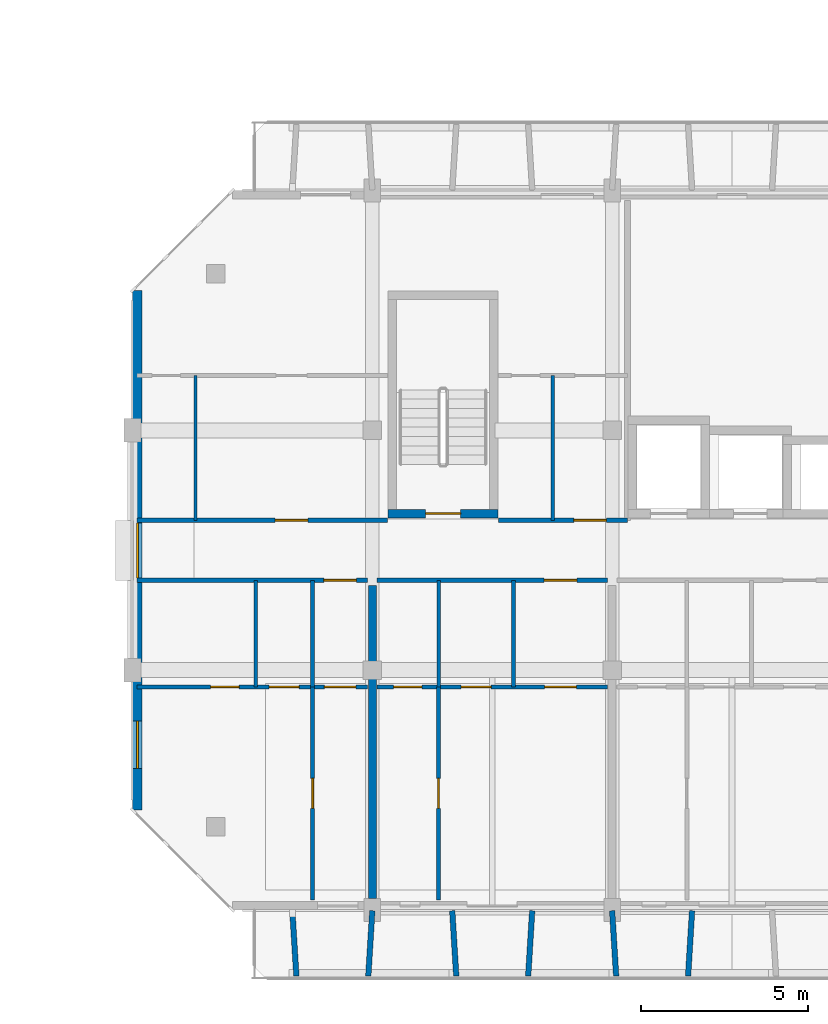
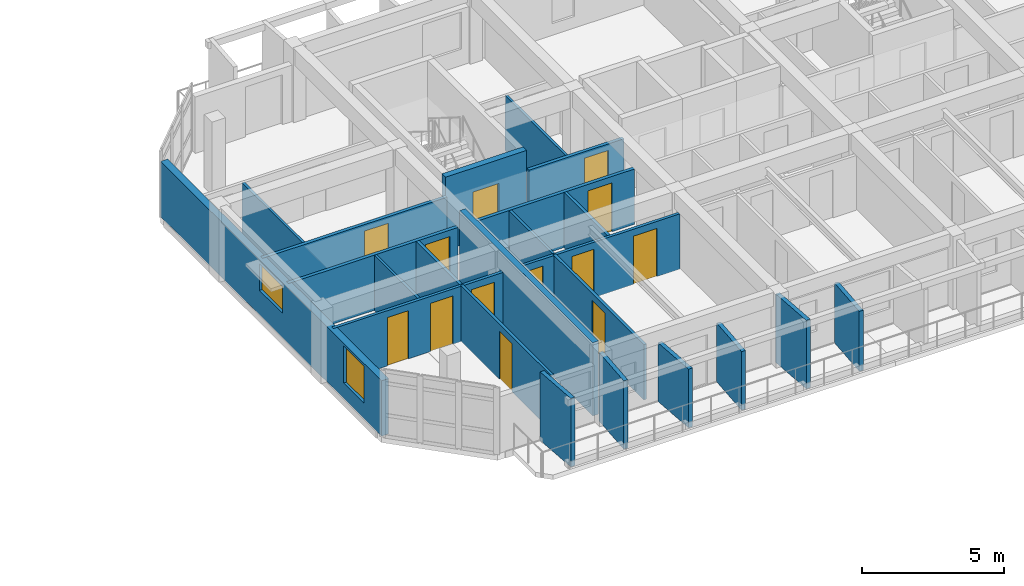
# One storey, part 21 of 43: 23 walls, 13 doors, 2 windows, 15 openings.
"""IFC4 building model written with IfcOpenShell, lengths in metres."""

from ifc_helpers import new_model, si_unit, direction, frame, frame_2d, origin, place, context, subcontext, project, spatial, rectangle, extrude, material, layer, layer_set, type_object, element, fill, save


model = new_model("IFC4")

# Units and contexts
model_context = context("Model", 3, precision=1e-05, world=origin(), true_north=direction((0.0, 1.0)))
body_context = subcontext(model_context, "Body", "Model", "MODEL_VIEW")
ifc_project = project(units=[si_unit("LENGTHUNIT", "METRE"), si_unit("AREAUNIT", "SQUARE_METRE"), si_unit("VOLUMEUNIT", "CUBIC_METRE"), si_unit("PLANEANGLEUNIT", "RADIAN"), si_unit("MASSUNIT", "GRAM", prefix="KILO")], contexts=[model_context])

# Site, building, storey
site_placement = place(None, origin())
site = spatial("IfcSite", under=ifc_project, at=site_placement, CompositionType="ELEMENT")
building_placement = place(site_placement, origin())
building = spatial("IfcBuilding", under=site, at=building_placement, Name="Ochrevale Crest", CompositionType="ELEMENT")
storey_placement = place(building_placement, frame((0.0, 0.0, 15.0)))
storey = spatial("IfcBuildingStorey", under=building, at=storey_placement, Name="L04", CompositionType="ELEMENT", Elevation=15.0)

# Wall, opening, door
ifc_material_1 = material(Name="Gypsum plasterboard", Category="gypsum")
ifc_layer_1 = layer(ifc_material_1, 0.139892578125)
ifc_layer_set_1 = layer_set([ifc_layer_1], Name="Gypsum plasterboard")
wall_type_1 = type_object("IfcWallType", Name="WL-COR-140", PredefinedType="PARTITIONING", material=ifc_layer_set_1)
wall_1_placement = place(storey_placement, frame((129.739990234375, 24.300048828125, 0.0), z_axis=(0.0, 0.0, 1.0), x_axis=(1.0, 0.0, 0.0)))
wall_1 = element("IfcWall", 1, at=wall_1_placement, inside=storey, type_object=wall_type_1, Name="Apartment C-L04-U1 corridor wall", PredefinedType="PARTITIONING", context=body_context, shape_type="SweptSolid", body=[
    extrude(rectangle(XDim=6.919921875, YDim=0.139892578125, at=frame_2d((3.4599609375, 0.0))), origin(), (0.0, 0.0, 1.0), 2.3798828125),
])
opening_1_placement = place(wall_1_placement, frame((5.60498046875, 0.0, 0.0)))
opening_1 = element("IfcOpeningElement", 2, at=opening_1_placement, cuts=wall_1, Name="Opening FD01", PredefinedType="OPENING", context=body_context, shape_type="SweptSolid", body=[
    extrude(rectangle(XDim=0.97998046875, YDim=2.10009765625, at=frame_2d((0.489990234375, 1.050048828125))), frame((0.0, 0.080078125, 0.0), z_axis=(0.0, -1.0, 0.0), x_axis=(1.0, 0.0, 0.0)), (0.0, 0.0, 1.0), 0.159912109375),
])
ifc_material_2 = material(Name="Solid-core FSC hardwood", Category="wood")
door_type_1 = type_object("IfcDoorType", Name="DR-APT-950", OperationType="NOTDEFINED", PredefinedType="DOOR", material=ifc_material_2)
door_1_placement = place(opening_1_placement, origin())
door_1 = element("IfcDoor", 3, at=door_1_placement, inside=storey, type_object=door_type_1, Name="Apartment C-L04-U1 entrance door", OperationType="SINGLE_SWING_LEFT", OverallHeight=2.10009765625, OverallWidth=0.97998046875, PredefinedType="DOOR", context=body_context, shape_type="SweptSolid", body=[
    extrude(rectangle(XDim=0.97998046875, YDim=2.10009765625, at=frame_2d((0.489990234375, 1.050048828125))), frame((0.0, 0.02490234375, 0.0), z_axis=(0.0, -1.0, 0.0), x_axis=(1.0, 0.0, 0.0)), (0.0, 0.0, 1.0), 0.050048828125),
])
fill(opening_1, door_1)

wall_2_placement = place(storey_placement, frame((136.93994140625, 24.300048828125, 0.0), z_axis=(0.0, 0.0, 1.0), x_axis=(1.0, 0.0, 0.0)))
wall_2 = element("IfcWall", 4, at=wall_2_placement, inside=storey, type_object=wall_type_1, Name="Apartment C-L04-U2 corridor wall", PredefinedType="PARTITIONING", context=body_context, shape_type="SweptSolid", body=[
    extrude(rectangle(XDim=6.920166015625, YDim=0.139892578125, at=frame_2d((3.4599609375, 0.0))), origin(), (0.0, 0.0, 1.0), 2.3798828125),
])
opening_2_placement = place(wall_2_placement, frame((6.0, 0.0, 0.0), z_axis=(0.0, 0.0, 1.0), x_axis=(-1.0, 0.0, 0.0)))
opening_2 = element("IfcOpeningElement", 5, at=opening_2_placement, cuts=wall_2, Name="Opening FD01", PredefinedType="OPENING", context=body_context, shape_type="SweptSolid", body=[
    extrude(rectangle(XDim=0.97998046875, YDim=2.10009765625, at=frame_2d((0.489990234375, 1.050048828125))), frame((0.0, 0.080078125, 0.0), z_axis=(0.0, -1.0, 0.0), x_axis=(1.0, 0.0, 0.0)), (0.0, 0.0, 1.0), 0.159912109375),
])
door_2_placement = place(opening_2_placement, origin())
door_2 = element("IfcDoor", 6, at=door_2_placement, inside=storey, type_object=door_type_1, Name="Apartment C-L04-U2 entrance door", OperationType="SINGLE_SWING_RIGHT", OverallHeight=2.10009765625, OverallWidth=0.97998046875, PredefinedType="DOOR", context=body_context, shape_type="SweptSolid", body=[
    extrude(rectangle(XDim=0.97998046875, YDim=2.10009765625, at=frame_2d((0.489990234375, 1.050048828125))), frame((0.0, 0.02490234375, 0.0), z_axis=(0.0, -1.0, 0.0), x_axis=(1.0, 0.0, 0.0)), (0.0, 0.0, 1.0), 0.050048828125),
])
fill(opening_2, door_2)

wall_3_placement = place(storey_placement, frame((129.739990234375, 26.10009765625, 0.0), z_axis=(0.0, 0.0, 1.0), x_axis=(1.0, 0.0, 0.0)))
wall_3 = element("IfcWall", 7, at=wall_3_placement, inside=storey, type_object=wall_type_1, Name="Suite C-L04-CW corridor wall", PredefinedType="PARTITIONING", context=body_context, shape_type="SweptSolid", body=[
    extrude(rectangle(XDim=7.52001953125, YDim=0.139892578125, at=frame_2d((3.760009765625, 0.0))), origin(), (0.0, 0.0, 1.0), 2.3798828125),
])
opening_3_placement = place(wall_3_placement, frame((4.14501953125, 0.0, 0.0)))
opening_3 = element("IfcOpeningElement", 8, at=opening_3_placement, cuts=wall_3, Name="Opening FD01", PredefinedType="OPENING", context=body_context, shape_type="SweptSolid", body=[
    extrude(rectangle(XDim=0.97998046875, YDim=2.10009765625, at=frame_2d((0.489990234375, 1.050048828125))), frame((0.0, 0.080078125, 0.0), z_axis=(0.0, -1.0, 0.0), x_axis=(1.0, 0.0, 0.0)), (0.0, 0.0, 1.0), 0.159912109375),
])
door_3_placement = place(opening_3_placement, origin())
door_3 = element("IfcDoor", 9, at=door_3_placement, inside=storey, type_object=door_type_1, Name="Suite C-L04-CW entrance door", OperationType="SINGLE_SWING_LEFT", OverallHeight=2.10009765625, OverallWidth=0.97998046875, PredefinedType="DOOR", context=body_context, shape_type="SweptSolid", body=[
    extrude(rectangle(XDim=0.97998046875, YDim=2.10009765625, at=frame_2d((0.489990234375, 1.050048828125))), frame((0.0, 0.02490234375, 0.0), z_axis=(0.0, -1.0, 0.0), x_axis=(1.0, 0.0, 0.0)), (0.0, 0.0, 1.0), 0.050048828125),
])
fill(opening_3, door_3)

wall_4_placement = place(storey_placement, frame((140.590087890625, 26.10009765625, 0.0), z_axis=(0.0, 0.0, 1.0), x_axis=(1.0, 0.0, 0.0)))
wall_4 = element("IfcWall", 10, at=wall_4_placement, inside=storey, type_object=wall_type_1, Name="Suite C-L04-MW corridor wall", PredefinedType="PARTITIONING", context=body_context, shape_type="SweptSolid", body=[
    extrude(rectangle(XDim=3.869873046875, YDim=0.139892578125, at=frame_2d((1.93505859375, 0.0))), origin(), (0.0, 0.0, 1.0), 2.3798828125),
])
opening_4_placement = place(wall_4_placement, frame((3.23779296875, 0.0, 0.0), z_axis=(0.0, 0.0, 1.0), x_axis=(-1.0, 0.0, 0.0)))
opening_4 = element("IfcOpeningElement", 11, at=opening_4_placement, cuts=wall_4, Name="Opening FD01", PredefinedType="OPENING", context=body_context, shape_type="SweptSolid", body=[
    extrude(rectangle(XDim=0.97998046875, YDim=2.10009765625, at=frame_2d((0.489990234375, 1.050048828125))), frame((0.0, 0.080078125, 0.0), z_axis=(0.0, -1.0, 0.0), x_axis=(1.0, 0.0, 0.0)), (0.0, 0.0, 1.0), 0.159912109375),
])
door_4_placement = place(opening_4_placement, origin())
door_4 = element("IfcDoor", 12, at=door_4_placement, inside=storey, type_object=door_type_1, Name="Suite C-L04-MW entrance door", OperationType="SINGLE_SWING_RIGHT", OverallHeight=2.10009765625, OverallWidth=0.97998046875, PredefinedType="DOOR", context=body_context, shape_type="SweptSolid", body=[
    extrude(rectangle(XDim=0.97998046875, YDim=2.10009765625, at=frame_2d((0.489990234375, 1.050048828125))), frame((0.0, 0.02490234375, 0.0), z_axis=(0.0, -1.0, 0.0), x_axis=(1.0, 0.0, 0.0)), (0.0, 0.0, 1.0), 0.050048828125),
])
fill(opening_4, door_4)

ifc_material_3 = material(Name="Precast concrete C50/60", Category="concrete")
ifc_layer_2 = layer(ifc_material_3, 0.2548828125)
ifc_layer_set_2 = layer_set([ifc_layer_2], Name="Precast concrete C50/60")
wall_type_2 = type_object("IfcWallType", Name="WL-CORE-255", PredefinedType="SHEAR", material=ifc_layer_set_2)
wall_5_placement = place(storey_placement, frame((137.2724609375, 26.300048828125, 0.0), z_axis=(0.0, 0.0, 1.0), x_axis=(1.0, 0.0, 0.0)))
wall_5 = element("IfcWall", 13, at=wall_5_placement, inside=storey, type_object=wall_type_2, Name="Block C L04 Stair 1 precast core shear wall S", PredefinedType="SHEAR", context=body_context, shape_type="SweptSolid", body=[
    extrude(rectangle(XDim=3.304931640625, YDim=0.2548828125, at=frame_2d((1.65234375, 0.0))), origin(), (0.0, 0.0, 1.0), 3.14990234375),
])
opening_5_placement = place(wall_5_placement, frame((2.177490234375, 0.0, 0.0), z_axis=(0.0, 0.0, 1.0), x_axis=(-1.0, 0.0, 0.0)))
opening_5 = element("IfcOpeningElement", 14, at=opening_5_placement, cuts=wall_5, Name="Opening FD03", PredefinedType="OPENING", context=body_context, shape_type="SweptSolid", body=[
    extrude(rectangle(XDim=1.050048828125, YDim=2.1201171875, at=frame_2d((0.52490234375, 1.06005859375))), frame((0.0, 0.137451171875, 0.0), z_axis=(0.0, -1.0, 0.0), x_axis=(1.0, 0.0, 0.0)), (0.0, 0.0, 1.0), 0.27490234375),
])
door_type_2 = type_object("IfcDoorType", Name="DR-ST-1050", OperationType="NOTDEFINED", PredefinedType="DOOR", material=ifc_material_2)
door_5_placement = place(opening_5_placement, origin())
door_5 = element("IfcDoor", 15, at=door_5_placement, inside=storey, type_object=door_type_2, Name="Block C L04 fire stair 1 door", OperationType="SINGLE_SWING_RIGHT", OverallHeight=2.1201171875, OverallWidth=1.050048828125, PredefinedType="DOOR", context=body_context, shape_type="SweptSolid", body=[
    extrude(rectangle(XDim=1.050048828125, YDim=2.1201171875, at=frame_2d((0.52490234375, 1.06005859375))), frame((0.0, 0.02490234375, 0.0), z_axis=(0.0, -1.0, 0.0), x_axis=(1.0, 0.0, 0.0)), (0.0, 0.0, 1.0), 0.050048828125),
])
fill(opening_5, door_5)

# Wall, openings, windows
ifc_material_4 = material(Name="Clay face brickwork", Category="masonry")
ifc_layer_3 = layer(ifc_material_4, 0.2900390625)
ifc_layer_set_3 = layer_set([ifc_layer_3], Name="Clay face brickwork")
wall_type_3 = type_object("IfcWallType", Name="WL-EXT-BRICK-290", PredefinedType="SOLIDWALL", material=ifc_layer_set_3)
wall_6_placement = place(storey_placement, frame((129.7451171875, 33.0, 0.0), z_axis=(0.0, 0.0, 1.0), x_axis=(0.0, -1.0, 0.0)))
wall_6 = element("IfcWall", 16, at=wall_6_placement, inside=storey, type_object=wall_type_3, Name="Block C L04 external facade wall E7", PredefinedType="SOLIDWALL", context=body_context, shape_type="SweptSolid", body=[
    extrude(rectangle(XDim=15.60009765625, YDim=0.2900390625, at=frame_2d((7.800048828125, 0.0))), origin(), (0.0, 0.0, 1.0), 2.3798828125),
])
opening_6_placement = place(wall_6_placement, frame((6.97509765625, 0.0, 1.050048828125)))
opening_6 = element("IfcOpeningElement", 17, at=opening_6_placement, cuts=wall_6, Name="Opening W19", PredefinedType="OPENING", context=body_context, shape_type="SweptSolid", body=[
    extrude(rectangle(XDim=1.64990234375, YDim=1.14990234375, at=frame_2d((0.824951171875, 0.574951171875))), frame((0.0, 0.155029296875, 0.0), z_axis=(0.0, -1.0, 0.0), x_axis=(1.0, 0.0, 0.0)), (0.0, 0.0, 1.0), 0.31005859375),
])
opening_7_placement = place(wall_6_placement, frame((12.925048828125, 0.0, 0.669921875)))
opening_7 = element("IfcOpeningElement", 18, at=opening_7_placement, cuts=wall_6, Name="Opening W31", PredefinedType="OPENING", context=body_context, shape_type="SweptSolid", body=[
    extrude(rectangle(XDim=1.419921875, YDim=1.60009765625, at=frame_2d((0.7099609375, 0.800048828125))), frame((0.0, 0.155029296875, 0.0), z_axis=(0.0, -1.0, 0.0), x_axis=(1.0, 0.0, 0.0)), (0.0, 0.0, 1.0), 0.31005859375),
])
ifc_material_5 = material(Name="Anodised aluminium 6063-T5 and low-E double glazing", Category="aluminium")
window_type_1 = type_object("IfcWindowType", Name="WIN-W19", PartitioningType="SINGLE_PANEL", PredefinedType="WINDOW", material=ifc_material_5)
window_1_placement = place(opening_6_placement, origin())
window_1 = element("IfcWindow", 19, at=window_1_placement, inside=storey, type_object=window_type_1, Name="Block C L04 corridor end daylight window W", OverallHeight=1.14990234375, OverallWidth=1.64990234375, PartitioningType="SINGLE_PANEL", PredefinedType="WINDOW", context=body_context, shape_type="SweptSolid", body=[
    extrude(rectangle(XDim=1.64990234375, YDim=1.14990234375, at=frame_2d((0.824951171875, 0.574951171875))), frame((0.0, 0.030029296875, 0.0), z_axis=(0.0, -1.0, 0.0), x_axis=(1.0, 0.0, 0.0)), (0.0, 0.0, 1.0), 0.06005859375),
])
fill(opening_6, window_1)
window_type_2 = type_object("IfcWindowType", Name="WIN-W31", PartitioningType="SINGLE_PANEL", PredefinedType="WINDOW", material=ifc_material_5)
window_2_placement = place(opening_7_placement, origin())
window_2 = element("IfcWindow", 20, at=window_2_placement, inside=storey, type_object=window_type_2, Name="Block C L04 side suite window W", OverallHeight=1.60009765625, OverallWidth=1.419921875, PartitioningType="SINGLE_PANEL", PredefinedType="WINDOW", context=body_context, shape_type="SweptSolid", body=[
    extrude(rectangle(XDim=1.419921875, YDim=1.60009765625, at=frame_2d((0.7099609375, 0.800048828125))), frame((0.0, 0.030029296875, 0.0), z_axis=(0.0, -1.0, 0.0), x_axis=(1.0, 0.0, 0.0)), (0.0, 0.0, 1.0), 0.06005859375),
])
fill(opening_7, window_2)

# Walls
ifc_material_6 = material(Name="Precast concrete C40/50", Category="concrete")
ifc_layer_4 = layer(ifc_material_6, 0.1650390625)
ifc_layer_set_4 = layer_set([ifc_layer_4], Name="Precast concrete C40/50")
wall_type_4 = type_object("IfcWallType", Name="WL-HC-CHEEK-165", PredefinedType="ELEMENTEDWALL", material=ifc_layer_set_4)
for number, where, z_axis, x_axis, name in (
    (21, (134.39990234375, 14.3798828125, 0.0), (0.0, 0.0, 1.0), (0.061170732449, -0.998127317276, 0.0), "Block C L04 S precast honeycomb cheek 1"),
    (22, (136.800048828125, 14.3798828125, 0.0), (0.0, 0.0, 1.0), (-0.061170732449, -0.998127317276, 0.0), "Block C L04 S precast honeycomb cheek 2"),
):
    element("IfcWall", number, at=place(storey_placement, frame(where, z_axis=z_axis, x_axis=x_axis)), inside=storey, type_object=wall_type_4, Name=name, PredefinedType="ELEMENTEDWALL", context=body_context, shape_type="SweptSolid", body=[
        extrude(rectangle(XDim=1.963623046875, YDim=0.1650390625, at=frame_2d((0.98193359375, 0.0))), origin(), (0.0, 0.0, 1.0), 2.949951171875),
    ])
for number, where, z_axis, x_axis, name in (
    (23, (139.199951171875, 14.3798828125, 0.0), (0.0, 0.0, 1.0), (0.061170732449, -0.998127317276, 0.0), "Block C L04 S precast honeycomb cheek 3"),
    (24, (141.60009765625, 14.3798828125, 0.0), (0.0, 0.0, 1.0), (-0.061170732449, -0.998127317276, 0.0), "Block C L04 S precast honeycomb cheek 4"),
):
    element("IfcWall", number, at=place(storey_placement, frame(where, z_axis=z_axis, x_axis=x_axis)), inside=storey, type_object=wall_type_4, Name=name, PredefinedType="ELEMENTEDWALL", context=body_context, shape_type="SweptSolid", body=[
        extrude(rectangle(XDim=1.963623046875, YDim=0.1650390625, at=frame_2d((0.98193359375, 0.0))), origin(), (0.0, 0.0, 1.0), 2.530029296875),
    ])
wall_7_placement = place(storey_placement, frame((144.0, 14.3798828125, 0.0), z_axis=(0.0, 0.0, 1.0), x_axis=(0.061170732449, -0.998127317276, 0.0)))
element("IfcWall", 25, at=wall_7_placement, inside=storey, type_object=wall_type_4, Name="Block C L04 S precast honeycomb cheek 5", PredefinedType="ELEMENTEDWALL", context=body_context, shape_type="SweptSolid", body=[
    extrude(rectangle(XDim=1.963623046875, YDim=0.1650390625, at=frame_2d((0.98193359375, 0.0))), origin(), (0.0, 0.0, 1.0), 2.949951171875),
])
wall_8_placement = place(storey_placement, frame((146.39990234375, 14.3798828125, 0.0), z_axis=(0.0, 0.0, 1.0), x_axis=(-0.061046865508, -0.998134900808, 0.0)))
element("IfcWall", 26, at=wall_8_placement, inside=storey, type_object=wall_type_4, Name="Block C L04 S precast honeycomb cheek 6", PredefinedType="ELEMENTEDWALL", context=body_context, shape_type="SweptSolid", body=[
    extrude(rectangle(XDim=1.963623046875, YDim=0.1650390625, at=frame_2d((0.98193359375, 0.0))), origin(), (0.0, 0.0, 1.0), 2.580078125),
])
ifc_layer_5 = layer(ifc_material_1, 0.1201171875)
ifc_layer_set_5 = layer_set([ifc_layer_5], Name="Gypsum plasterboard")
wall_type_5 = type_object("IfcWallType", Name="WL-PART-120", PredefinedType="PARTITIONING", material=ifc_layer_set_5)
wall_9_placement = place(storey_placement, frame((135.010009765625, 21.10009765625, 0.0), z_axis=(0.0, 0.0, 1.0), x_axis=(0.0, 1.0, 0.0)))
element("IfcWall", 27, at=wall_9_placement, inside=storey, type_object=wall_type_5, Name="Apartment C-L04-U1 kitchen-foyer wall", PredefinedType="PARTITIONING", context=body_context, shape_type="SweptSolid", body=[
    extrude(rectangle(XDim=3.199951171875, YDim=0.1201171875, at=frame_2d((1.60009765625, 0.0))), origin(), (0.0, 0.0, 1.0), 2.375),
])

# Wall, openings, doors
wall_10_placement = place(storey_placement, frame((129.739990234375, 21.10009765625, 0.0), z_axis=(0.0, 0.0, 1.0), x_axis=(1.0, 0.0, 0.0)))
wall_10 = element("IfcWall", 28, at=wall_10_placement, inside=storey, type_object=wall_type_5, Name="Apartment C-L04-U1 central partition", PredefinedType="PARTITIONING", context=body_context, shape_type="SweptSolid", body=[
    extrude(rectangle(XDim=6.919921875, YDim=0.1201171875, at=frame_2d((3.4599609375, 0.0))), origin(), (0.0, 0.0, 1.0), 2.3798828125),
])
opening_8_placement = place(wall_10_placement, frame((3.06005859375, 0.0, 0.0), z_axis=(0.0, 0.0, 1.0), x_axis=(-1.0, 0.0, 0.0)))
opening_8 = element("IfcOpeningElement", 29, at=opening_8_placement, cuts=wall_10, Name="Opening ID01", PredefinedType="OPENING", context=body_context, shape_type="SweptSolid", body=[
    extrude(rectangle(XDim=0.85009765625, YDim=2.080078125, at=frame_2d((0.425048828125, 1.0400390625))), frame((0.0, 0.070068359375, 0.0), z_axis=(0.0, -1.0, 0.0), x_axis=(1.0, 0.0, 0.0)), (0.0, 0.0, 1.0), 0.14013671875),
])
opening_9_placement = place(wall_10_placement, frame((3.965087890625, 0.0, 0.0)))
opening_9 = element("IfcOpeningElement", 30, at=opening_9_placement, cuts=wall_10, Name="Opening ID02", PredefinedType="OPENING", context=body_context, shape_type="SweptSolid", body=[
    extrude(rectangle(XDim=0.89990234375, YDim=2.080078125, at=frame_2d((0.449951171875, 1.0400390625))), frame((0.0, 0.070068359375, 0.0), z_axis=(0.0, -1.0, 0.0), x_axis=(1.0, 0.0, 0.0)), (0.0, 0.0, 1.0), 0.14013671875),
])
opening_10_placement = place(wall_10_placement, frame((6.570068359375, 0.0, 0.0), z_axis=(0.0, 0.0, 1.0), x_axis=(-1.0, 0.0, 0.0)))
opening_10 = element("IfcOpeningElement", 31, at=opening_10_placement, cuts=wall_10, Name="Opening ID06", PredefinedType="OPENING", context=body_context, shape_type="SweptSolid", body=[
    extrude(rectangle(XDim=0.949951171875, YDim=2.080078125, at=frame_2d((0.47509765625, 1.0400390625))), frame((0.0, 0.070068359375, 0.0), z_axis=(0.0, -1.0, 0.0), x_axis=(1.0, 0.0, 0.0)), (0.0, 0.0, 1.0), 0.14013671875),
])
door_type_3 = type_object("IfcDoorType", Name="DR-INT-900", OperationType="NOTDEFINED", PredefinedType="DOOR", material=ifc_material_2)
door_6_placement = place(opening_9_placement, origin())
door_6 = element("IfcDoor", 32, at=door_6_placement, inside=storey, type_object=door_type_3, Name="Apartment C-L04-U1 Kitchen door", OperationType="SINGLE_SWING_LEFT", OverallHeight=2.080078125, OverallWidth=0.89990234375, PredefinedType="DOOR", context=body_context, shape_type="SweptSolid", body=[
    extrude(rectangle(XDim=0.89990234375, YDim=2.080078125, at=frame_2d((0.449951171875, 1.0400390625))), frame((0.0, 0.02490234375, 0.0), z_axis=(0.0, -1.0, 0.0), x_axis=(1.0, 0.0, 0.0)), (0.0, 0.0, 1.0), 0.050048828125),
])
fill(opening_9, door_6)
door_type_4 = type_object("IfcDoorType", Name="DR-INT-950", OperationType="NOTDEFINED", PredefinedType="DOOR", material=ifc_material_2)
door_7_placement = place(opening_10_placement, origin())
door_7 = element("IfcDoor", 33, at=door_7_placement, inside=storey, type_object=door_type_4, Name="Apartment C-L04-U1 Living Foyer door", OperationType="SINGLE_SWING_RIGHT", OverallHeight=2.080078125, OverallWidth=0.949951171875, PredefinedType="DOOR", context=body_context, shape_type="SweptSolid", body=[
    extrude(rectangle(XDim=0.949951171875, YDim=2.080078125, at=frame_2d((0.47509765625, 1.0400390625))), frame((0.0, 0.02490234375, 0.0), z_axis=(0.0, -1.0, 0.0), x_axis=(1.0, 0.0, 0.0)), (0.0, 0.0, 1.0), 0.050048828125),
])
fill(opening_10, door_7)
door_type_5 = type_object("IfcDoorType", Name="DR-WC-850", OperationType="NOTDEFINED", PredefinedType="DOOR", material=ifc_material_2)
door_8_placement = place(opening_8_placement, origin())
door_8 = element("IfcDoor", 34, at=door_8_placement, inside=storey, type_object=door_type_5, Name="Apartment C-L04-U1 Bathroom door", OperationType="SINGLE_SWING_RIGHT", OverallHeight=2.080078125, OverallWidth=0.85009765625, PredefinedType="DOOR", context=body_context, shape_type="SweptSolid", body=[
    extrude(rectangle(XDim=0.85009765625, YDim=2.080078125, at=frame_2d((0.425048828125, 1.0400390625))), frame((0.0, 0.02490234375, 0.0), z_axis=(0.0, -1.0, 0.0), x_axis=(1.0, 0.0, 0.0)), (0.0, 0.0, 1.0), 0.050048828125),
])
fill(opening_8, door_8)

# Wall, opening, door
wall_11_placement = place(storey_placement, frame((135.010009765625, 14.699951171875, 0.0), z_axis=(0.0, 0.0, 1.0), x_axis=(0.0, 1.0, 0.0)))
wall_11 = element("IfcWall", 35, at=wall_11_placement, inside=storey, type_object=wall_type_5, Name="Apartment C-L04-U1 bedroom partition", PredefinedType="PARTITIONING", context=body_context, shape_type="SweptSolid", body=[
    extrude(rectangle(XDim=6.400146484375, YDim=0.1201171875, at=frame_2d((3.2001953125, 0.0))), origin(), (0.0, 0.0, 1.0), 2.3798828125),
])
opening_11_placement = place(wall_11_placement, frame((2.75, 0.0, 0.0)))
opening_11 = element("IfcOpeningElement", 36, at=opening_11_placement, cuts=wall_11, Name="Opening ID02", PredefinedType="OPENING", context=body_context, shape_type="SweptSolid", body=[
    extrude(rectangle(XDim=0.89990234375, YDim=2.080078125, at=frame_2d((0.449951171875, 1.0400390625))), frame((0.0, 0.070068359375, 0.0), z_axis=(0.0, -1.0, 0.0), x_axis=(1.0, 0.0, 0.0)), (0.0, 0.0, 1.0), 0.14013671875),
])
door_9_placement = place(opening_11_placement, origin())
door_9 = element("IfcDoor", 37, at=door_9_placement, inside=storey, type_object=door_type_3, Name="Apartment C-L04-U1 Double Bedroom door", OperationType="SINGLE_SWING_LEFT", OverallHeight=2.080078125, OverallWidth=0.89990234375, PredefinedType="DOOR", context=body_context, shape_type="SweptSolid", body=[
    extrude(rectangle(XDim=0.89990234375, YDim=2.080078125, at=frame_2d((0.449951171875, 1.0400390625))), frame((0.0, 0.02490234375, 0.0), z_axis=(0.0, -1.0, 0.0), x_axis=(1.0, 0.0, 0.0)), (0.0, 0.0, 1.0), 0.050048828125),
])
fill(opening_11, door_9)

# Wall
wall_12_placement = place(storey_placement, frame((141.0400390625, 21.10009765625, 0.0), z_axis=(0.0, 0.0, 1.0), x_axis=(0.0, 1.0, 0.0)))
element("IfcWall", 38, at=wall_12_placement, inside=storey, type_object=wall_type_5, Name="Apartment C-L04-U2 kitchen-foyer wall", PredefinedType="PARTITIONING", context=body_context, shape_type="SweptSolid", body=[
    extrude(rectangle(XDim=3.199951171875, YDim=0.1201171875, at=frame_2d((1.60009765625, 0.0))), origin(), (0.0, 0.0, 1.0), 2.375),
])

# Wall, openings, doors
wall_13_placement = place(storey_placement, frame((136.93994140625, 21.10009765625, 0.0), z_axis=(0.0, 0.0, 1.0), x_axis=(1.0, 0.0, 0.0)))
wall_13 = element("IfcWall", 39, at=wall_13_placement, inside=storey, type_object=wall_type_5, Name="Apartment C-L04-U2 central partition", PredefinedType="PARTITIONING", context=body_context, shape_type="SweptSolid", body=[
    extrude(rectangle(XDim=6.920166015625, YDim=0.1201171875, at=frame_2d((3.4599609375, 0.0))), origin(), (0.0, 0.0, 1.0), 2.3798828125),
])
opening_12_placement = place(wall_13_placement, frame((0.5, 0.0, 0.0)))
opening_12 = element("IfcOpeningElement", 40, at=opening_12_placement, cuts=wall_13, Name="Opening ID01", PredefinedType="OPENING", context=body_context, shape_type="SweptSolid", body=[
    extrude(rectangle(XDim=0.85009765625, YDim=2.080078125, at=frame_2d((0.425048828125, 1.0400390625))), frame((0.0, 0.070068359375, 0.0), z_axis=(0.0, -1.0, 0.0), x_axis=(1.0, 0.0, 0.0)), (0.0, 0.0, 1.0), 0.14013671875),
])
opening_13_placement = place(wall_13_placement, frame((3.4248046875, 0.0, 0.0), z_axis=(0.0, 0.0, 1.0), x_axis=(-1.0, 0.0, 0.0)))
opening_13 = element("IfcOpeningElement", 41, at=opening_13_placement, cuts=wall_13, Name="Opening ID02", PredefinedType="OPENING", context=body_context, shape_type="SweptSolid", body=[
    extrude(rectangle(XDim=0.89990234375, YDim=2.080078125, at=frame_2d((0.449951171875, 1.0400390625))), frame((0.0, 0.070068359375, 0.0), z_axis=(0.0, -1.0, 0.0), x_axis=(1.0, 0.0, 0.0)), (0.0, 0.0, 1.0), 0.14013671875),
])
opening_14_placement = place(wall_13_placement, frame((5.034912109375, 0.0, 0.0)))
opening_14 = element("IfcOpeningElement", 42, at=opening_14_placement, cuts=wall_13, Name="Opening ID06", PredefinedType="OPENING", context=body_context, shape_type="SweptSolid", body=[
    extrude(rectangle(XDim=0.949951171875, YDim=2.080078125, at=frame_2d((0.47509765625, 1.0400390625))), frame((0.0, 0.070068359375, 0.0), z_axis=(0.0, -1.0, 0.0), x_axis=(1.0, 0.0, 0.0)), (0.0, 0.0, 1.0), 0.14013671875),
])
door_10_placement = place(opening_13_placement, origin())
door_10 = element("IfcDoor", 43, at=door_10_placement, inside=storey, type_object=door_type_3, Name="Apartment C-L04-U2 Kitchen door", OperationType="SINGLE_SWING_RIGHT", OverallHeight=2.080078125, OverallWidth=0.89990234375, PredefinedType="DOOR", context=body_context, shape_type="SweptSolid", body=[
    extrude(rectangle(XDim=0.89990234375, YDim=2.080078125, at=frame_2d((0.449951171875, 1.0400390625))), frame((0.0, 0.02490234375, 0.0), z_axis=(0.0, -1.0, 0.0), x_axis=(1.0, 0.0, 0.0)), (0.0, 0.0, 1.0), 0.050048828125),
])
fill(opening_13, door_10)
door_11_placement = place(opening_14_placement, origin())
door_11 = element("IfcDoor", 44, at=door_11_placement, inside=storey, type_object=door_type_4, Name="Apartment C-L04-U2 Living Foyer door", OperationType="SINGLE_SWING_LEFT", OverallHeight=2.080078125, OverallWidth=0.949951171875, PredefinedType="DOOR", context=body_context, shape_type="SweptSolid", body=[
    extrude(rectangle(XDim=0.949951171875, YDim=2.080078125, at=frame_2d((0.47509765625, 1.0400390625))), frame((0.0, 0.02490234375, 0.0), z_axis=(0.0, -1.0, 0.0), x_axis=(1.0, 0.0, 0.0)), (0.0, 0.0, 1.0), 0.050048828125),
])
fill(opening_14, door_11)
door_12_placement = place(opening_12_placement, origin())
door_12 = element("IfcDoor", 45, at=door_12_placement, inside=storey, type_object=door_type_5, Name="Apartment C-L04-U2 Bathroom door", OperationType="SINGLE_SWING_LEFT", OverallHeight=2.080078125, OverallWidth=0.85009765625, PredefinedType="DOOR", context=body_context, shape_type="SweptSolid", body=[
    extrude(rectangle(XDim=0.85009765625, YDim=2.080078125, at=frame_2d((0.425048828125, 1.0400390625))), frame((0.0, 0.02490234375, 0.0), z_axis=(0.0, -1.0, 0.0), x_axis=(1.0, 0.0, 0.0)), (0.0, 0.0, 1.0), 0.050048828125),
])
fill(opening_12, door_12)

# Wall, opening, door
wall_14_placement = place(storey_placement, frame((138.7900390625, 14.699951171875, 0.0), z_axis=(0.0, 0.0, 1.0), x_axis=(0.0, 1.0, 0.0)))
wall_14 = element("IfcWall", 46, at=wall_14_placement, inside=storey, type_object=wall_type_5, Name="Apartment C-L04-U2 bedroom partition", PredefinedType="PARTITIONING", context=body_context, shape_type="SweptSolid", body=[
    extrude(rectangle(XDim=6.400146484375, YDim=0.1201171875, at=frame_2d((3.2001953125, 0.0))), origin(), (0.0, 0.0, 1.0), 2.3798828125),
])
opening_15_placement = place(wall_14_placement, frame((3.64990234375, 0.0, 0.0), z_axis=(0.0, 0.0, 1.0), x_axis=(-1.0, 0.0, 0.0)))
opening_15 = element("IfcOpeningElement", 47, at=opening_15_placement, cuts=wall_14, Name="Opening ID02", PredefinedType="OPENING", context=body_context, shape_type="SweptSolid", body=[
    extrude(rectangle(XDim=0.89990234375, YDim=2.080078125, at=frame_2d((0.449951171875, 1.0400390625))), frame((0.0, 0.070068359375, 0.0), z_axis=(0.0, -1.0, 0.0), x_axis=(1.0, 0.0, 0.0)), (0.0, 0.0, 1.0), 0.14013671875),
])
door_13_placement = place(opening_15_placement, origin())
door_13 = element("IfcDoor", 48, at=door_13_placement, inside=storey, type_object=door_type_3, Name="Apartment C-L04-U2 Master Bedroom door", OperationType="SINGLE_SWING_RIGHT", OverallHeight=2.080078125, OverallWidth=0.89990234375, PredefinedType="DOOR", context=body_context, shape_type="SweptSolid", body=[
    extrude(rectangle(XDim=0.89990234375, YDim=2.080078125, at=frame_2d((0.449951171875, 1.0400390625))), frame((0.0, 0.02490234375, 0.0), z_axis=(0.0, -1.0, 0.0), x_axis=(1.0, 0.0, 0.0)), (0.0, 0.0, 1.0), 0.050048828125),
])
fill(opening_15, door_13)

# Walls
ifc_layer_6 = layer(ifc_material_3, 0.239990234375)
ifc_layer_set_6 = layer_set([ifc_layer_6], Name="Precast concrete C50/60")
wall_type_6 = type_object("IfcWallType", Name="WL-SHEAR-240", PredefinedType="SHEAR", material=ifc_layer_set_6)
wall_15_placement = place(storey_placement, frame((136.800048828125, 14.75, 0.0), z_axis=(0.0, 0.0, 1.0), x_axis=(0.0, 1.0, 0.0)))
element("IfcWall", 49, at=wall_15_placement, inside=storey, type_object=wall_type_6, Name="Block C L04 load-bearing precast cross-wall X=136.8", PredefinedType="SHEAR", context=body_context, shape_type="SweptSolid", body=[
    extrude(rectangle(XDim=9.39990234375, YDim=0.239990234375, at=frame_2d((4.699951171875, 0.0))), origin(), (0.0, 0.0, 1.0), 3.14990234375),
])
ifc_layer_7 = layer(ifc_material_1, 0.10009765625)
ifc_layer_set_7 = layer_set([ifc_layer_7], Name="Gypsum plasterboard")
wall_type_7 = type_object("IfcWallType", Name="WL-WET-100", PredefinedType="PARTITIONING", material=ifc_layer_set_7)
for number, where, z_axis, x_axis, name in (
    (50, (133.300048828125, 21.10009765625, 0.0), (0.0, 0.0, 1.0), (0.0, 1.0, 0.0), "Apartment C-L04-U1 bath-kitchen wall"),
    (51, (138.7900390625, 21.10009765625, 0.0), (0.0, 0.0, 1.0), (0.0, 1.0, 0.0), "Apartment C-L04-U2 bath-kitchen wall"),
):
    element("IfcWall", number, at=place(storey_placement, frame(where, z_axis=z_axis, x_axis=x_axis)), inside=storey, type_object=wall_type_7, Name=name, PredefinedType="PARTITIONING", context=body_context, shape_type="SweptSolid", body=[
        extrude(rectangle(XDim=3.199951171875, YDim=0.10009765625, at=frame_2d((1.60009765625, 0.0))), origin(), (0.0, 0.0, 1.0), 2.375),
    ])
for number, where, z_axis, x_axis, name in (
    (52, (131.489990234375, 26.10009765625, 0.0), (0.0, 0.0, 1.0), (0.0, 1.0, 0.0), "Suite C-L04-CW bathroom divider"),
    (53, (142.21533203125, 26.10009765625, 0.0), (0.0, 0.0, 1.0), (0.0, 1.0, 0.0), "Suite C-L04-MW bathroom divider"),
):
    element("IfcWall", number, at=place(storey_placement, frame(where, z_axis=z_axis, x_axis=x_axis)), inside=storey, type_object=wall_type_7, Name=name, PredefinedType="PARTITIONING", context=body_context, shape_type="SweptSolid", body=[
        extrude(rectangle(XDim=4.349853515625, YDim=0.10009765625, at=frame_2d((2.1748046875, 0.0))), origin(), (0.0, 0.0, 1.0), 2.375),
    ])

save(model, "model.ifc")
